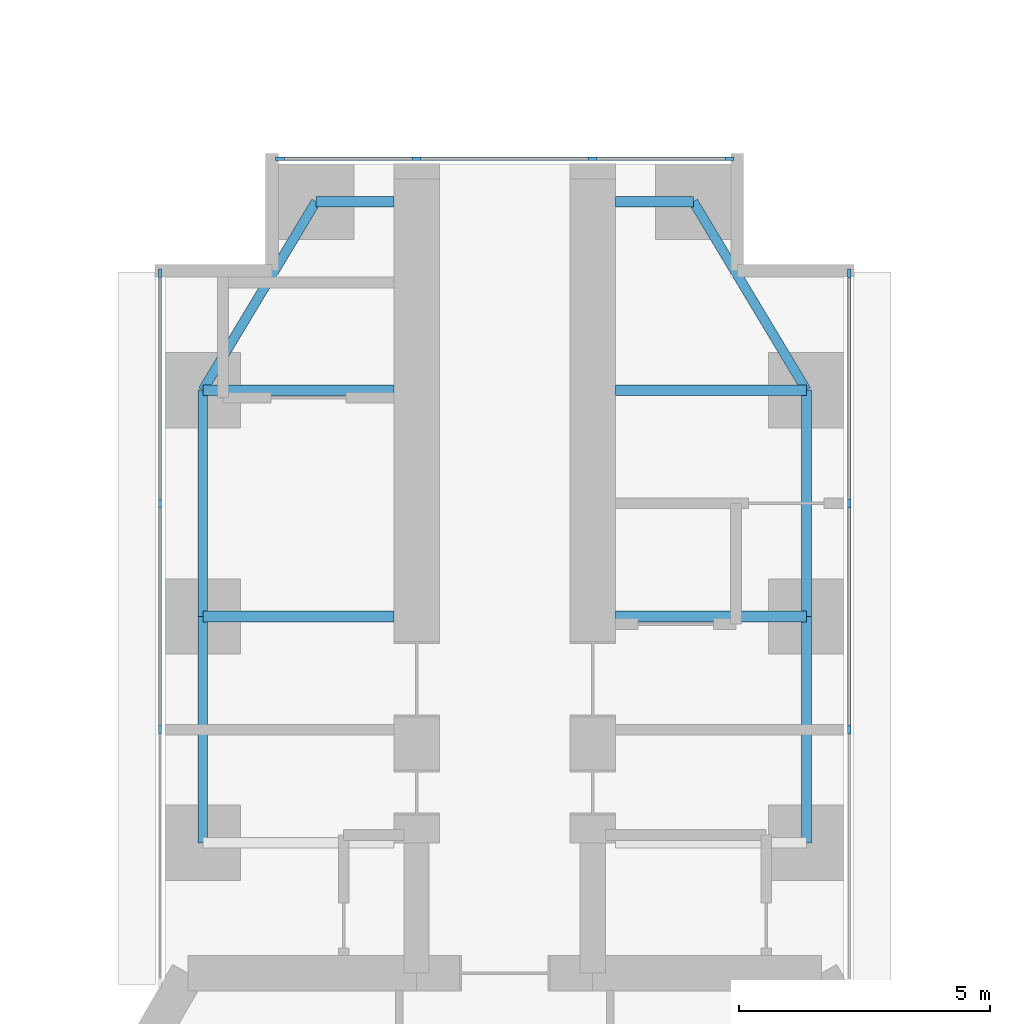
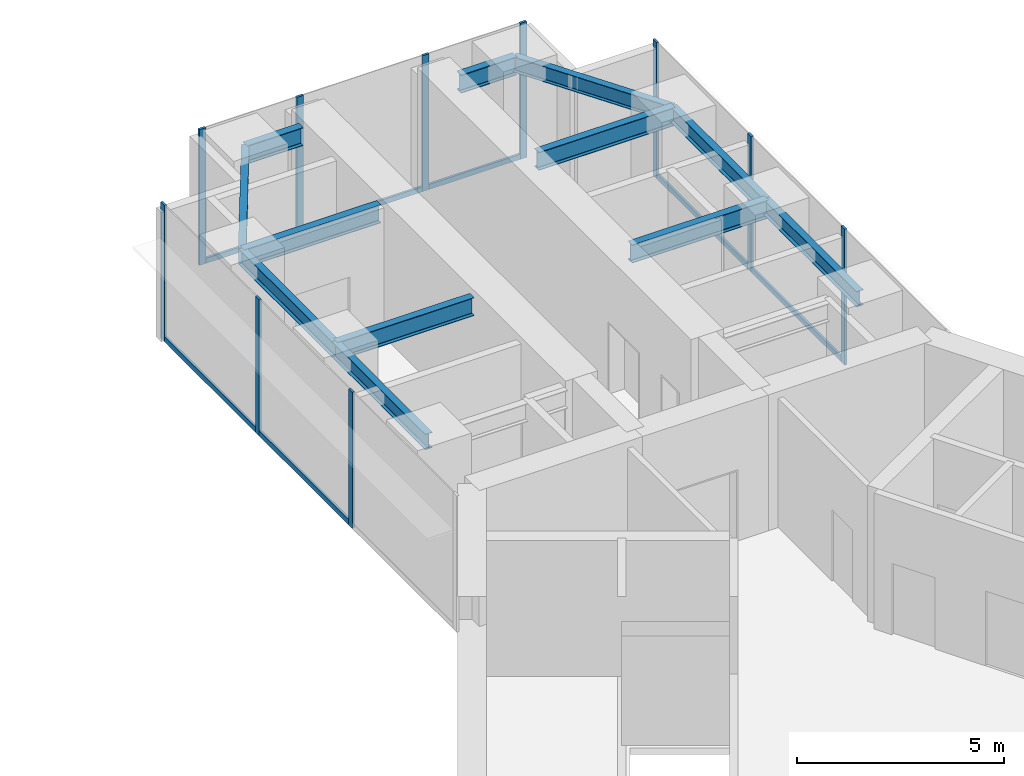
# One storey, part 13 of 22: 17 members, 12 beams, 3 elements without a shape of their own.
"""IFC4 building model written with IfcOpenShell, lengths in metres."""

from ifc_helpers import new_model, si_unit, direction, frame, origin, origin_2d, place, context, subcontext, project, spatial, rectangle, i_section, extrude, material, material_profile, profile_set, type_object, element, aggregate, save


model = new_model("IFC4")

# Units and contexts
model_context = context("Model", 3, precision=1e-05, world=origin(), true_north=direction((0.0, 1.0)))
body_context = subcontext(model_context, "Body", "Model", "MODEL_VIEW")
ifc_project = project(units=[si_unit("LENGTHUNIT", "METRE"), si_unit("AREAUNIT", "SQUARE_METRE"), si_unit("VOLUMEUNIT", "CUBIC_METRE"), si_unit("PLANEANGLEUNIT", "RADIAN"), si_unit("MASSUNIT", "GRAM", prefix="KILO")], contexts=[model_context])

# Site, building, storey
site_placement = place(None, origin())
site = spatial("IfcSite", under=ifc_project, at=site_placement, CompositionType="ELEMENT")
building_placement = place(site_placement, origin())
building = spatial("IfcBuilding", under=site, at=building_placement, Name="Upepo Twin Towers", CompositionType="ELEMENT")
storey_placement = place(building_placement, frame((0.0, 0.0, 36.5)))
storey = spatial("IfcBuildingStorey", under=building, at=storey_placement, Name="L08", CompositionType="ELEMENT", Elevation=36.5)

# Beams
ifc_material_1 = material(Name="Steel S355", Category="steel")
ifc_material_profile_1 = material_profile(ifc_material_1, i_section(OverallWidth=0.1904296875, OverallDepth=0.45703125, WebThickness=0.009033203125, FlangeThickness=0.014404296875, FilletRadius=0.01025390625, at=origin_2d()), Name="UB 457x191x74")
ifc_profile_set_1 = profile_set([ifc_material_profile_1], Name="Steel S355")
beam_type_1 = type_object("IfcBeamType", Name="Beam UB 457x191x74", PredefinedType="BEAM", material=ifc_profile_set_1)
for number, where, z_axis, x_axis, name in (
    (1, (52.5, -4.5, 3.571533203125), (0.0, 1.0, 0.0), (-1.0, 0.0, 0.0), "T2 edge beam AL 13.5-18.0"),
    (2, (52.5, 0.0, 3.571533203125), (0.0, 1.0, 0.0), (-1.0, 0.0, 0.0), "T2 edge beam AL 18.0-22.5"),
):
    element("IfcBeam", number, at=place(storey_placement, frame(where, z_axis=z_axis, x_axis=x_axis)), inside=storey, type_object=beam_type_1, Name=name, PredefinedType="BEAM", context=body_context, shape_type="SweptSolid", body=[
        extrude(i_section(OverallWidth=0.1904296875, OverallDepth=0.45703125, WebThickness=0.009033203125, FlangeThickness=0.014404296875, FilletRadius=0.01025390625, at=origin_2d()), origin(), (0.0, 0.0, 1.0), 4.5),
    ])
beam_1_placement = place(storey_placement, frame((52.5, 4.5, 3.571533203125), z_axis=(0.514495755428, 0.857492925713, 0.0), x_axis=(-0.857492925713, 0.514495755428, 0.0)))
element("IfcBeam", 3, at=beam_1_placement, inside=storey, type_object=beam_type_1, Name="T2 nose edge beam AL", PredefinedType="BEAM", context=body_context, shape_type="SweptSolid", body=[
    extrude(i_section(OverallWidth=0.1904296875, OverallDepth=0.45703125, WebThickness=0.009033203125, FlangeThickness=0.014404296875, FilletRadius=0.01025390625, at=origin_2d()), origin(), (0.0, 0.0, 1.0), 4.373291015625),
])
for number, where, z_axis, x_axis, name in (
    (4, (64.5, -4.5, 3.571533203125), (0.0, 1.0, 0.0), (-1.0, 0.0, 0.0), "T2 edge beam AR 13.5-18.0"),
    (5, (64.5, 0.0, 3.571533203125), (0.0, 1.0, 0.0), (-1.0, 0.0, 0.0), "T2 edge beam AR 18.0-22.5"),
):
    element("IfcBeam", number, at=place(storey_placement, frame(where, z_axis=z_axis, x_axis=x_axis)), inside=storey, type_object=beam_type_1, Name=name, PredefinedType="BEAM", context=body_context, shape_type="SweptSolid", body=[
        extrude(i_section(OverallWidth=0.1904296875, OverallDepth=0.45703125, WebThickness=0.009033203125, FlangeThickness=0.014404296875, FilletRadius=0.01025390625, at=origin_2d()), origin(), (0.0, 0.0, 1.0), 4.5),
    ])
beam_2_placement = place(storey_placement, frame((64.5, 4.5, 3.571533203125), z_axis=(-0.514495755428, 0.857492925713, 0.0), x_axis=(-0.857492925713, -0.514495755428, 0.0)))
element("IfcBeam", 6, at=beam_2_placement, inside=storey, type_object=beam_type_1, Name="T2 nose edge beam AR", PredefinedType="BEAM", context=body_context, shape_type="SweptSolid", body=[
    extrude(i_section(OverallWidth=0.1904296875, OverallDepth=0.45703125, WebThickness=0.009033203125, FlangeThickness=0.014404296875, FilletRadius=0.01025390625, at=origin_2d()), origin(), (0.0, 0.0, 1.0), 4.373291015625),
])
ifc_material_2 = material(Name="Steel S355", Category="steel")
ifc_material_profile_2 = material_profile(ifc_material_2, i_section(OverallWidth=0.2099609375, OverallDepth=0.53662109375, WebThickness=0.0107421875, FlangeThickness=0.017333984375, FilletRadius=0.0126953125, at=origin_2d()), Name="UB 533x210x101")
ifc_profile_set_2 = profile_set([ifc_material_profile_2], Name="Steel S355")
beam_type_2 = type_object("IfcBeamType", Name="Beam UB 533x210x101", PredefinedType="BEAM", material=ifc_profile_set_2)
for number, where, z_axis, x_axis, name in (
    (7, (54.75, 8.25, 3.53173828125), (1.0, 0.0, 0.0), (0.0, 1.0, 0.0), "T2 nose beam AL"),
    (8, (62.25, 8.25, 3.53173828125), (-1.0, 0.0, 0.0), (0.0, -1.0, 0.0), "T2 nose beam AR"),
):
    element("IfcBeam", number, at=place(storey_placement, frame(where, z_axis=z_axis, x_axis=x_axis)), inside=storey, type_object=beam_type_2, Name=name, PredefinedType="BEAM", context=body_context, shape_type="SweptSolid", body=[
        extrude(i_section(OverallWidth=0.2099609375, OverallDepth=0.53662109375, WebThickness=0.0107421875, FlangeThickness=0.017333984375, FilletRadius=0.0126953125, at=origin_2d()), origin(), (0.0, 0.0, 1.0), 1.550048828125),
    ])
ifc_material_3 = material(Name="Steel S355", Category="steel")
ifc_material_profile_3 = material_profile(ifc_material_3, i_section(OverallWidth=0.209228515625, OverallDepth=0.533203125, WebThickness=0.010009765625, FlangeThickness=0.015625, FilletRadius=0.0126953125, at=origin_2d()), Name="UB 533x210x92")
ifc_profile_set_3 = profile_set([ifc_material_profile_3], Name="Steel S355")
beam_type_3 = type_object("IfcBeamType", Name="Beam UB 533x210x92", PredefinedType="BEAM", material=ifc_profile_set_3)
for number, where, z_axis, x_axis, name in (
    (9, (52.5, 0.0, 3.533447265625), (1.0, 0.0, 0.0), (0.0, 1.0, 0.0), "T2 girder AL at 18.0"),
    (10, (52.5, 4.5, 3.533447265625), (1.0, 0.0, 0.0), (0.0, 1.0, 0.0), "T2 girder AL at 22.5"),
    (11, (64.5, 0.0, 3.533447265625), (-1.0, 0.0, 0.0), (0.0, -1.0, 0.0), "T2 girder AR at 18.0"),
    (12, (64.5, 4.5, 3.533447265625), (-1.0, 0.0, 0.0), (0.0, -1.0, 0.0), "T2 girder AR at 22.5"),
):
    element("IfcBeam", number, at=place(storey_placement, frame(where, z_axis=z_axis, x_axis=x_axis)), inside=storey, type_object=beam_type_3, Name=name, PredefinedType="BEAM", context=body_context, shape_type="SweptSolid", body=[
        extrude(i_section(OverallWidth=0.209228515625, OverallDepth=0.533203125, WebThickness=0.010009765625, FlangeThickness=0.015625, FilletRadius=0.0126953125, at=origin_2d()), origin(), (0.0, 0.0, 1.0), 3.800048828125),
    ])

# Curtain wall, members
ifc_material_4 = material(Name="Aluminium and fritted glass", Category="aluminium")
curtain_wall_type = type_object("IfcCurtainWallType", Name="Tower curtain wall TW1, fritted glass", PredefinedType="NOTDEFINED", material=ifc_material_4)
curtain_wall_1_placement = place(storey_placement, origin())
curtain_wall_1 = element("IfcCurtainWall", 13, at=curtain_wall_1_placement, inside=storey, type_object=curtain_wall_type, Name="T2 L08 wing A flank L curtain wall", PredefinedType="NOTDEFINED")
ifc_material_5 = material(Name="Aluminium mullion", Category="aluminium")
ifc_material_profile_4 = material_profile(ifc_material_5, rectangle(XDim=0.06494140625, YDim=0.179931640625, at=origin_2d()), Name="MULLION 65x180")
ifc_profile_set_4 = profile_set([ifc_material_profile_4], Name="Aluminium mullion")
member_type_1 = type_object("IfcMemberType", Name="Mullion 65x180 TW1", PredefinedType="MULLION", material=ifc_profile_set_4)
member_1_placement = place(storey_placement, frame((51.64990234375, -2.25, 0.0), z_axis=(0.0, 0.0, 1.0), x_axis=(-1.0, 0.0, 0.0)))
member_1 = element("IfcMember", 14, at=member_1_placement, type_object=member_type_1, Name="T2 L08 wing A flank L curtain wall mullion 2", PredefinedType="MULLION", context=body_context, shape_type="SweptSolid", body=[
    extrude(rectangle(XDim=0.06494140625, YDim=0.179931640625, at=origin_2d()), origin(), (0.0, 0.0, 1.0), 4.0),
])
member_2_placement = place(storey_placement, frame((51.64990234375, 2.25, 0.0), z_axis=(0.0, 0.0, 1.0), x_axis=(-1.0, 0.0, 0.0)))
member_2 = element("IfcMember", 15, at=member_2_placement, type_object=member_type_1, Name="T2 L08 wing A flank L curtain wall mullion 3", PredefinedType="MULLION", context=body_context, shape_type="SweptSolid", body=[
    extrude(rectangle(XDim=0.06494140625, YDim=0.179931640625, at=origin_2d()), origin(), (0.0, 0.0, 1.0), 4.0),
])
member_3_placement = place(storey_placement, frame((51.64990234375, 6.8173828125, 0.0), z_axis=(0.0, 0.0, 1.0), x_axis=(-1.0, 0.0, 0.0)))
member_3 = element("IfcMember", 16, at=member_3_placement, type_object=member_type_1, Name="T2 L08 wing A flank L curtain wall mullion 4", PredefinedType="MULLION", context=body_context, shape_type="SweptSolid", body=[
    extrude(rectangle(XDim=0.06494140625, YDim=0.179931640625, at=origin_2d()), origin(), (0.0, 0.0, 1.0), 4.0),
])

curtain_wall_2_placement = place(storey_placement, origin())
curtain_wall_2 = element("IfcCurtainWall", 17, at=curtain_wall_2_placement, inside=storey, type_object=curtain_wall_type, Name="T2 L08 wing A flank R curtain wall", PredefinedType="NOTDEFINED")
member_4_placement = place(storey_placement, frame((65.35009765625, 6.8173828125, 0.0), z_axis=(0.0, 0.0, 1.0), x_axis=(1.0, 0.0, 0.0)))
member_4 = element("IfcMember", 18, at=member_4_placement, type_object=member_type_1, Name="T2 L08 wing A flank R curtain wall mullion 1", PredefinedType="MULLION", context=body_context, shape_type="SweptSolid", body=[
    extrude(rectangle(XDim=0.06494140625, YDim=0.179931640625, at=origin_2d()), origin(), (0.0, 0.0, 1.0), 4.0),
])
member_5_placement = place(storey_placement, frame((65.35009765625, 2.25, 0.0), z_axis=(0.0, 0.0, 1.0), x_axis=(1.0, 0.0, 0.0)))
member_5 = element("IfcMember", 19, at=member_5_placement, type_object=member_type_1, Name="T2 L08 wing A flank R curtain wall mullion 2", PredefinedType="MULLION", context=body_context, shape_type="SweptSolid", body=[
    extrude(rectangle(XDim=0.06494140625, YDim=0.179931640625, at=origin_2d()), origin(), (0.0, 0.0, 1.0), 4.0),
])
member_6_placement = place(storey_placement, frame((65.35009765625, -2.25, 0.0), z_axis=(0.0, 0.0, 1.0), x_axis=(1.0, 0.0, 0.0)))
member_6 = element("IfcMember", 20, at=member_6_placement, type_object=member_type_1, Name="T2 L08 wing A flank R curtain wall mullion 3", PredefinedType="MULLION", context=body_context, shape_type="SweptSolid", body=[
    extrude(rectangle(XDim=0.06494140625, YDim=0.179931640625, at=origin_2d()), origin(), (0.0, 0.0, 1.0), 4.0),
])

curtain_wall_3_placement = place(storey_placement, origin())
curtain_wall_3 = element("IfcCurtainWall", 21, at=curtain_wall_3_placement, inside=storey, type_object=curtain_wall_type, Name="T2 L08 wing A nose curtain wall", PredefinedType="NOTDEFINED")
member_7_placement = place(storey_placement, frame((62.967529296875, 9.10009765625, 0.0), z_axis=(0.0, 0.0, 1.0), x_axis=(0.0, -1.0, 0.0)))
member_7 = element("IfcMember", 22, at=member_7_placement, type_object=member_type_1, Name="T2 L08 wing A nose curtain wall mullion 1", PredefinedType="MULLION", context=body_context, shape_type="SweptSolid", body=[
    extrude(rectangle(XDim=0.06494140625, YDim=0.179931640625, at=origin_2d()), origin(), (0.0, 0.0, 1.0), 4.0),
])
member_8_placement = place(storey_placement, frame((60.25, 9.10009765625, 0.0), z_axis=(0.0, 0.0, 1.0), x_axis=(0.0, -1.0, 0.0)))
member_8 = element("IfcMember", 23, at=member_8_placement, type_object=member_type_1, Name="T2 L08 wing A nose curtain wall mullion 2", PredefinedType="MULLION", context=body_context, shape_type="SweptSolid", body=[
    extrude(rectangle(XDim=0.06494140625, YDim=0.179931640625, at=origin_2d()), origin(), (0.0, 0.0, 1.0), 4.0),
])
member_9_placement = place(storey_placement, frame((56.75, 9.10009765625, 0.0), z_axis=(0.0, 0.0, 1.0), x_axis=(0.0, -1.0, 0.0)))
member_9 = element("IfcMember", 24, at=member_9_placement, type_object=member_type_1, Name="T2 L08 wing A nose curtain wall mullion 3", PredefinedType="MULLION", context=body_context, shape_type="SweptSolid", body=[
    extrude(rectangle(XDim=0.06494140625, YDim=0.179931640625, at=origin_2d()), origin(), (0.0, 0.0, 1.0), 4.0),
])
member_10_placement = place(storey_placement, frame((54.032470703125, 9.10009765625, 0.0), z_axis=(0.0, 0.0, 1.0), x_axis=(0.0, -1.0, 0.0)))
member_10 = element("IfcMember", 25, at=member_10_placement, type_object=member_type_1, Name="T2 L08 wing A nose curtain wall mullion 4", PredefinedType="MULLION", context=body_context, shape_type="SweptSolid", body=[
    extrude(rectangle(XDim=0.06494140625, YDim=0.179931640625, at=origin_2d()), origin(), (0.0, 0.0, 1.0), 4.0),
])

# Member
ifc_material_6 = material(Name="Aluminium transom", Category="aluminium")
ifc_material_profile_5 = material_profile(ifc_material_6, rectangle(XDim=0.06494140625, YDim=0.14990234375, at=origin_2d()), Name="TRANSOM 65x150")
ifc_profile_set_5 = profile_set([ifc_material_profile_5], Name="Aluminium transom")
member_type_2 = type_object("IfcMemberType", Name="Transom 65x150 TW1", PredefinedType="USERDEFINED", material=ifc_profile_set_5)
member_11_placement = place(storey_placement, frame((51.64990234375, -2.217529296875, 0.074951171875), z_axis=(0.0, 1.0, 0.0), x_axis=(-1.0, 0.0, 0.0)))
member_11 = element("IfcMember", 26, at=member_11_placement, type_object=member_type_2, Name="T2 L08 wing A flank L curtain wall transom 2", ObjectType="TRANSOM", PredefinedType="USERDEFINED", context=body_context, shape_type="SweptSolid", body=[
    extrude(rectangle(XDim=0.06494140625, YDim=0.14990234375, at=origin_2d()), origin(), (0.0, 0.0, 1.0), 4.43505859375),
])

member_12_placement = place(storey_placement, frame((51.64990234375, 2.282470703125, 0.074951171875), z_axis=(0.0, 1.0, 0.0), x_axis=(-1.0, 0.0, 0.0)))
member_12 = element("IfcMember", 27, at=member_12_placement, type_object=member_type_2, Name="T2 L08 wing A flank L curtain wall transom 3", ObjectType="TRANSOM", PredefinedType="USERDEFINED", context=body_context, shape_type="SweptSolid", body=[
    extrude(rectangle(XDim=0.06494140625, YDim=0.14990234375, at=origin_2d()), origin(), (0.0, 0.0, 1.0), 4.50244140625),
])

aggregate(curtain_wall_1, [member_1, member_2, member_3, member_11, member_12])

member_13_placement = place(storey_placement, frame((65.35009765625, 6.784912109375, 0.074951171875), z_axis=(0.0, -1.0, 0.0), x_axis=(1.0, 0.0, 0.0)))
member_13 = element("IfcMember", 28, at=member_13_placement, type_object=member_type_2, Name="T2 L08 wing A flank R curtain wall transom 1", ObjectType="TRANSOM", PredefinedType="USERDEFINED", context=body_context, shape_type="SweptSolid", body=[
    extrude(rectangle(XDim=0.06494140625, YDim=0.14990234375, at=origin_2d()), origin(), (0.0, 0.0, 1.0), 4.50244140625),
])

member_14_placement = place(storey_placement, frame((65.35009765625, 2.217529296875, 0.074951171875), z_axis=(0.0, -1.0, 0.0), x_axis=(1.0, 0.0, 0.0)))
member_14 = element("IfcMember", 29, at=member_14_placement, type_object=member_type_2, Name="T2 L08 wing A flank R curtain wall transom 2", ObjectType="TRANSOM", PredefinedType="USERDEFINED", context=body_context, shape_type="SweptSolid", body=[
    extrude(rectangle(XDim=0.06494140625, YDim=0.14990234375, at=origin_2d()), origin(), (0.0, 0.0, 1.0), 4.43505859375),
])

aggregate(curtain_wall_2, [member_4, member_5, member_6, member_13, member_14])

member_15_placement = place(storey_placement, frame((62.93505859375, 9.10009765625, 0.074951171875), z_axis=(-1.0, 0.0, 0.0), x_axis=(0.0, -1.0, 0.0)))
member_15 = element("IfcMember", 30, at=member_15_placement, type_object=member_type_2, Name="T2 L08 wing A nose curtain wall transom 1", ObjectType="TRANSOM", PredefinedType="USERDEFINED", context=body_context, shape_type="SweptSolid", body=[
    extrude(rectangle(XDim=0.06494140625, YDim=0.14990234375, at=origin_2d()), origin(), (0.0, 0.0, 1.0), 2.652587890625),
])

member_16_placement = place(storey_placement, frame((60.217529296875, 9.10009765625, 0.074951171875), z_axis=(-1.0, 0.0, 0.0), x_axis=(0.0, -1.0, 0.0)))
member_16 = element("IfcMember", 31, at=member_16_placement, type_object=member_type_2, Name="T2 L08 wing A nose curtain wall transom 2", ObjectType="TRANSOM", PredefinedType="USERDEFINED", context=body_context, shape_type="SweptSolid", body=[
    extrude(rectangle(XDim=0.06494140625, YDim=0.14990234375, at=origin_2d()), origin(), (0.0, 0.0, 1.0), 3.43505859375),
])

member_17_placement = place(storey_placement, frame((56.717529296875, 9.10009765625, 0.074951171875), z_axis=(-1.0, 0.0, 0.0), x_axis=(0.0, -1.0, 0.0)))
member_17 = element("IfcMember", 32, at=member_17_placement, type_object=member_type_2, Name="T2 L08 wing A nose curtain wall transom 3", ObjectType="TRANSOM", PredefinedType="USERDEFINED", context=body_context, shape_type="SweptSolid", body=[
    extrude(rectangle(XDim=0.06494140625, YDim=0.14990234375, at=origin_2d()), origin(), (0.0, 0.0, 1.0), 2.652587890625),
])

aggregate(curtain_wall_3, [member_7, member_8, member_9, member_10, member_15, member_16, member_17])

save(model, "model.ifc")
